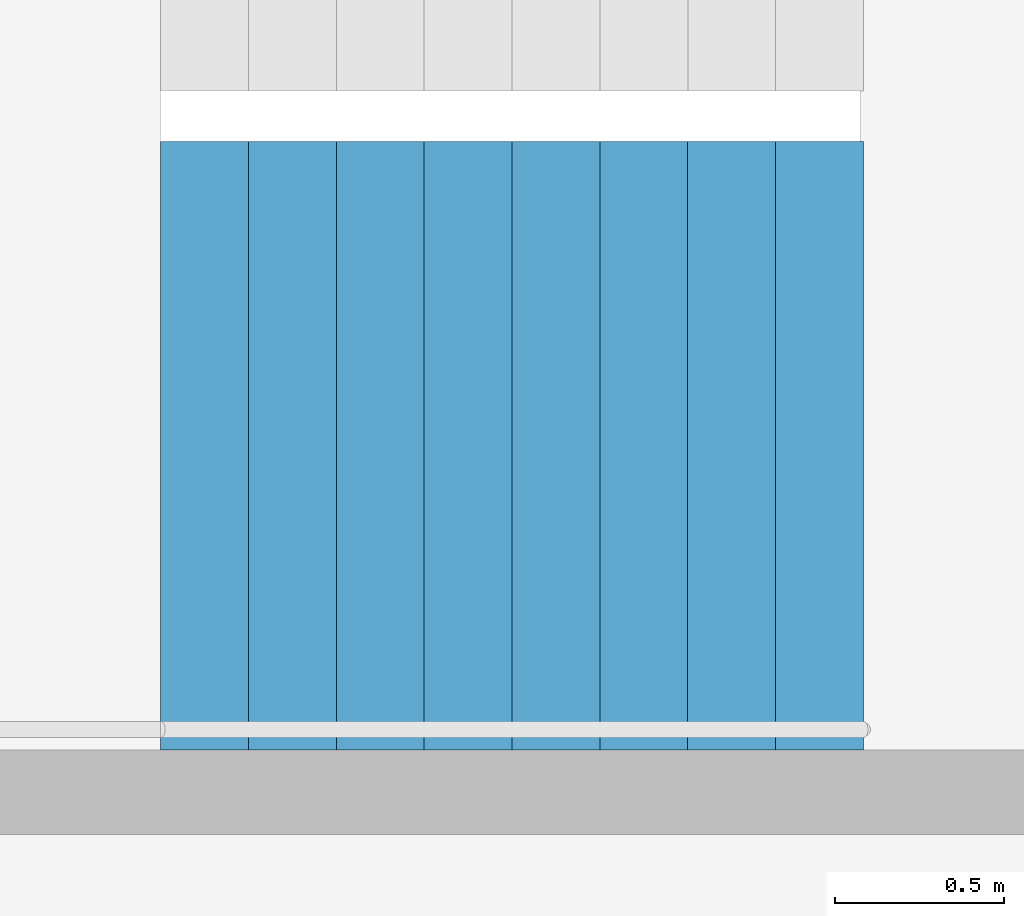
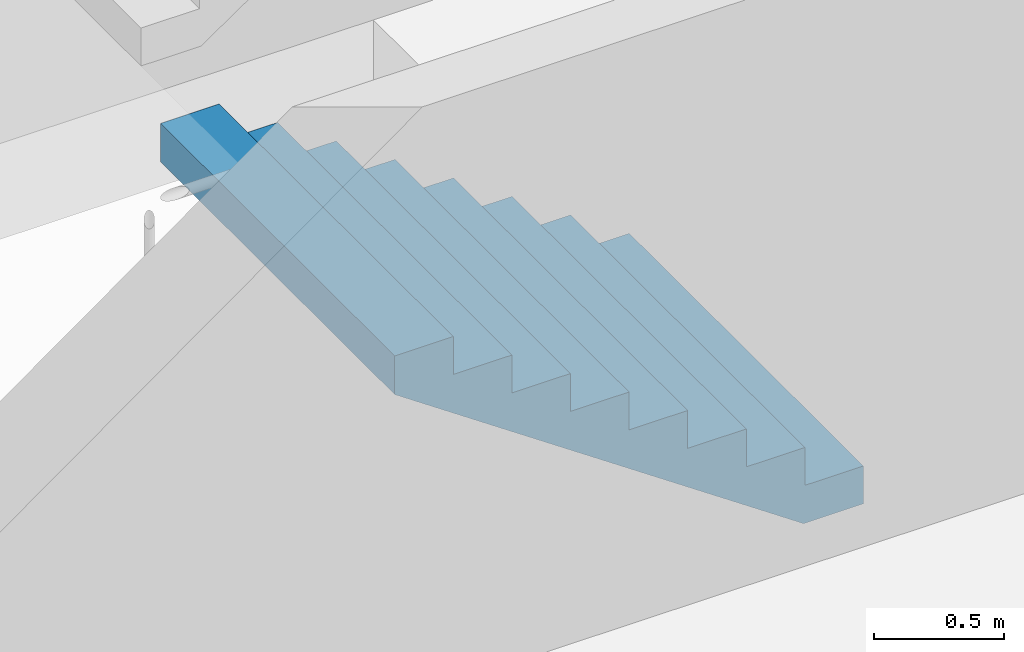
# One storey, part 24 of 26: 1 stair flight, 1 element without a shape of its own.
"""IFC4 building model written with IfcOpenShell, lengths in metres."""

from ifc_helpers import new_model, si_unit, direction, frame, origin, place, context, subcontext, project, spatial, triangles, material, type_object, element, aggregate, save


model = new_model("IFC4")

# Units and contexts
model_context = context("Model", 3, precision=1e-05, world=origin(), true_north=direction((0.0, 1.0)))
body_context = subcontext(model_context, "Body", "Model", "MODEL_VIEW")
ifc_project = project(units=[si_unit("LENGTHUNIT", "METRE"), si_unit("AREAUNIT", "SQUARE_METRE"), si_unit("VOLUMEUNIT", "CUBIC_METRE"), si_unit("PLANEANGLEUNIT", "RADIAN"), si_unit("MASSUNIT", "GRAM", prefix="KILO")], contexts=[model_context])

# Site, building, storey
site_placement = place(None, origin())
site = spatial("IfcSite", under=ifc_project, at=site_placement, CompositionType="ELEMENT")
building_placement = place(site_placement, origin())
building = spatial("IfcBuilding", under=site, at=building_placement, Name="Hakoniwa Tower and Hamabe Station Hall", CompositionType="ELEMENT")
storey_placement = place(building_placement, frame((0.0, 0.0, 169.39990234375)))
storey = spatial("IfcBuildingStorey", under=building, at=storey_placement, Name="L48", CompositionType="ELEMENT", Elevation=169.39990234375)

# Stair, stair flight
ifc_material_1 = material(Name="Concrete C40", Category="concrete")
stair_type = type_object("IfcStairType", Name="ESCAPE STAIR 1800", PredefinedType="HALF_TURN_STAIR", material=ifc_material_1)
stair_placement = place(storey_placement, origin())
stair = element("IfcStair", 1, at=stair_placement, inside=storey, type_object=stair_type, Name="Escape stair ST-3 L48", PredefinedType="HALF_TURN_STAIR")
ifc_material_2 = material(Name="Concrete C40", Category="concrete")
stair_flight_type = type_object("IfcStairFlightType", Name="STAIR FLIGHT 1800", PredefinedType="STRAIGHT", material=ifc_material_2)
stair_flight_placement = place(storey_placement, frame((24.39990234375, 4.64990234375, 0.0), z_axis=(0.0, 0.0, 1.0), x_axis=(-1.0, 0.0, 0.0)))
stair_flight = element("IfcStairFlight", 2, at=stair_flight_placement, type_object=stair_flight_type, Name="ST-3 flight 1", NumberOfRisers=9, NumberOfTreads=8, PredefinedType="STRAIGHT", RiserHeight=0.177777778, TreadLength=0.26, context=body_context, shape_type="Tessellation", body=[
    triangles([(0.0, 0.89990234375, 0.0), (0.260009765625, 0.89990234375, 0.0), (0.265625, 0.89990234375, 0.0), (0.52001953125, 0.89990234375, 0.174072265625), (0.780029296875, 0.89990234375, 0.351806640625), (1.0400390625, 0.89990234375, 0.529541015625), (1.300048828125, 0.89990234375, 0.707275390625), (1.56005859375, 0.89990234375, 0.885009765625), (1.820068359375, 0.89990234375, 1.062744140625), (2.080078125, 0.89990234375, 1.24072265625), (2.080078125, 0.89990234375, 1.422119140625), (1.820068359375, 0.89990234375, 1.422119140625), (1.820068359375, 0.89990234375, 1.244384765625), (1.56005859375, 0.89990234375, 1.244384765625), (1.56005859375, 0.89990234375, 1.066650390625), (1.300048828125, 0.89990234375, 1.066650390625), (1.300048828125, 0.89990234375, 0.888916015625), (1.0400390625, 0.89990234375, 0.888916015625), (1.0400390625, 0.89990234375, 0.711181640625), (0.780029296875, 0.89990234375, 0.711181640625), (0.780029296875, 0.89990234375, 0.533447265625), (0.52001953125, 0.89990234375, 0.533447265625), (0.52001953125, 0.89990234375, 0.35546875), (0.265625, 0.89990234375, 0.35546875), (0.260009765625, 0.89990234375, 0.35546875), (0.260009765625, 0.89990234375, 0.177734375), (0.0, 0.89990234375, 0.177734375), (0.0, 0.06005859375, 0.0), (0.260009765625, 0.06005859375, 0.0), (0.265625, 0.06005859375, 0.0), (0.52001953125, 0.06005859375, 0.174072265625), (0.780029296875, 0.06005859375, 0.351806640625), (1.0400390625, 0.06005859375, 0.529541015625), (1.300048828125, 0.06005859375, 0.707275390625), (1.56005859375, 0.06005859375, 0.885009765625), (1.820068359375, 0.06005859375, 1.062744140625), (2.080078125, 0.06005859375, 1.24072265625), (2.080078125, 0.06005859375, 1.422119140625), (1.820068359375, 0.06005859375, 1.422119140625), (1.820068359375, 0.06005859375, 1.244384765625), (1.56005859375, 0.06005859375, 1.244384765625), (1.56005859375, 0.06005859375, 1.066650390625), (1.300048828125, 0.06005859375, 1.066650390625), (1.300048828125, 0.06005859375, 0.888916015625), (1.0400390625, 0.06005859375, 0.888916015625), (1.0400390625, 0.06005859375, 0.711181640625), (0.780029296875, 0.06005859375, 0.711181640625), (0.780029296875, 0.06005859375, 0.533447265625), (0.52001953125, 0.06005859375, 0.533447265625), (0.52001953125, 0.06005859375, 0.35546875), (0.265625, 0.06005859375, 0.35546875), (0.260009765625, 0.06005859375, 0.35546875), (0.260009765625, 0.06005859375, 0.177734375), (0.0, 0.06005859375, 0.177734375), (0.0, 0.04296875, 0.0), (0.260009765625, 0.04296875, 0.0), (0.265625, 0.04296875, 0.0), (0.52001953125, 0.04296875, 0.174072265625), (0.780029296875, 0.04296875, 0.351806640625), (1.0400390625, 0.04296875, 0.529541015625), (1.300048828125, 0.04296875, 0.707275390625), (1.56005859375, 0.04296875, 0.885009765625), (1.820068359375, 0.04296875, 1.062744140625), (2.080078125, 0.04296875, 1.24072265625), (2.080078125, 0.04296875, 1.422119140625), (1.820068359375, 0.04296875, 1.422119140625), (1.820068359375, 0.04296875, 1.244384765625), (1.56005859375, 0.04296875, 1.244384765625), (1.56005859375, 0.04296875, 1.066650390625), (1.300048828125, 0.04296875, 1.066650390625), (1.300048828125, 0.04296875, 0.888916015625), (1.0400390625, 0.04296875, 0.888916015625), (1.0400390625, 0.04296875, 0.711181640625), (0.780029296875, 0.04296875, 0.711181640625), (0.780029296875, 0.04296875, 0.533447265625), (0.52001953125, 0.04296875, 0.533447265625), (0.52001953125, 0.04296875, 0.35546875), (0.265625, 0.04296875, 0.35546875), (0.260009765625, 0.04296875, 0.35546875), (0.260009765625, 0.04296875, 0.177734375), (0.0, 0.04296875, 0.177734375), (0.0, 0.025634765625, 0.0), (0.260009765625, 0.025634765625, 0.0), (0.265625, 0.025634765625, 0.0), (0.52001953125, 0.025634765625, 0.174072265625), (0.780029296875, 0.025634765625, 0.351806640625), (1.0400390625, 0.025634765625, 0.529541015625), (1.300048828125, 0.025634765625, 0.707275390625), (1.56005859375, 0.025634765625, 0.885009765625), (1.820068359375, 0.025634765625, 1.062744140625), (2.080078125, 0.025634765625, 1.24072265625), (2.080078125, 0.025634765625, 1.422119140625), (1.820068359375, 0.025634765625, 1.422119140625), (1.820068359375, 0.025634765625, 1.244384765625), (1.56005859375, 0.025634765625, 1.244384765625), (1.56005859375, 0.025634765625, 1.066650390625), (1.300048828125, 0.025634765625, 1.066650390625), (1.300048828125, 0.025634765625, 0.888916015625), (1.0400390625, 0.025634765625, 0.888916015625), (1.0400390625, 0.025634765625, 0.711181640625), (0.780029296875, 0.025634765625, 0.711181640625), (0.780029296875, 0.025634765625, 0.533447265625), (0.52001953125, 0.025634765625, 0.533447265625), (0.52001953125, 0.025634765625, 0.35546875), (0.265625, 0.025634765625, 0.35546875), (0.260009765625, 0.025634765625, 0.35546875), (0.260009765625, 0.025634765625, 0.177734375), (0.0, 0.025634765625, 0.177734375), (0.0, 0.008544921875, 0.0), (0.260009765625, 0.008544921875, 0.0), (0.265625, 0.008544921875, 0.0), (0.52001953125, 0.008544921875, 0.174072265625), (0.780029296875, 0.008544921875, 0.351806640625), (1.0400390625, 0.008544921875, 0.529541015625), (1.300048828125, 0.008544921875, 0.707275390625), (1.56005859375, 0.008544921875, 0.885009765625), (1.820068359375, 0.008544921875, 1.062744140625), (2.080078125, 0.008544921875, 1.24072265625), (2.080078125, 0.008544921875, 1.422119140625), (1.820068359375, 0.008544921875, 1.422119140625), (1.820068359375, 0.008544921875, 1.244384765625), (1.56005859375, 0.008544921875, 1.244384765625), (1.56005859375, 0.008544921875, 1.066650390625), (1.300048828125, 0.008544921875, 1.066650390625), (1.300048828125, 0.008544921875, 0.888916015625), (1.0400390625, 0.008544921875, 0.888916015625), (1.0400390625, 0.008544921875, 0.711181640625), (0.780029296875, 0.008544921875, 0.711181640625), (0.780029296875, 0.008544921875, 0.533447265625), (0.52001953125, 0.008544921875, 0.533447265625), (0.52001953125, 0.008544921875, 0.35546875), (0.265625, 0.008544921875, 0.35546875), (0.260009765625, 0.008544921875, 0.35546875), (0.260009765625, 0.008544921875, 0.177734375), (0.0, 0.008544921875, 0.177734375), (0.0, -0.008544921875, 0.0), (0.260009765625, -0.008544921875, 0.0), (0.265625, -0.008544921875, 0.0), (0.52001953125, -0.008544921875, 0.174072265625), (0.780029296875, -0.008544921875, 0.351806640625), (1.0400390625, -0.008544921875, 0.529541015625), (1.300048828125, -0.008544921875, 0.707275390625), (1.56005859375, -0.008544921875, 0.885009765625), (1.820068359375, -0.008544921875, 1.062744140625), (2.080078125, -0.008544921875, 1.24072265625), (2.080078125, -0.008544921875, 1.422119140625), (1.820068359375, -0.008544921875, 1.422119140625), (1.820068359375, -0.008544921875, 1.244384765625), (1.56005859375, -0.008544921875, 1.244384765625), (1.56005859375, -0.008544921875, 1.066650390625), (1.300048828125, -0.008544921875, 1.066650390625), (1.300048828125, -0.008544921875, 0.888916015625), (1.0400390625, -0.008544921875, 0.888916015625), (1.0400390625, -0.008544921875, 0.711181640625), (0.780029296875, -0.008544921875, 0.711181640625), (0.780029296875, -0.008544921875, 0.533447265625), (0.52001953125, -0.008544921875, 0.533447265625), (0.52001953125, -0.008544921875, 0.35546875), (0.265625, -0.008544921875, 0.35546875), (0.260009765625, -0.008544921875, 0.35546875), (0.260009765625, -0.008544921875, 0.177734375), (0.0, -0.008544921875, 0.177734375), (0.0, -0.025634765625, 0.0), (0.260009765625, -0.025634765625, 0.0), (0.265625, -0.025634765625, 0.0), (0.52001953125, -0.025634765625, 0.174072265625), (0.780029296875, -0.025634765625, 0.351806640625), (1.0400390625, -0.025634765625, 0.529541015625), (1.300048828125, -0.025634765625, 0.707275390625), (1.56005859375, -0.025634765625, 0.885009765625), (1.820068359375, -0.025634765625, 1.062744140625), (2.080078125, -0.025634765625, 1.24072265625), (2.080078125, -0.025634765625, 1.422119140625), (1.820068359375, -0.025634765625, 1.422119140625), (1.820068359375, -0.025634765625, 1.244384765625), (1.56005859375, -0.025634765625, 1.244384765625), (1.56005859375, -0.025634765625, 1.066650390625), (1.300048828125, -0.025634765625, 1.066650390625), (1.300048828125, -0.025634765625, 0.888916015625), (1.0400390625, -0.025634765625, 0.888916015625), (1.0400390625, -0.025634765625, 0.711181640625), (0.780029296875, -0.025634765625, 0.711181640625), (0.780029296875, -0.025634765625, 0.533447265625), (0.52001953125, -0.025634765625, 0.533447265625), (0.52001953125, -0.025634765625, 0.35546875), (0.265625, -0.025634765625, 0.35546875), (0.260009765625, -0.025634765625, 0.35546875), (0.260009765625, -0.025634765625, 0.177734375), (0.0, -0.025634765625, 0.177734375), (0.0, -0.04296875, 0.0), (0.260009765625, -0.04296875, 0.0), (0.265625, -0.04296875, 0.0), (0.52001953125, -0.04296875, 0.174072265625), (0.780029296875, -0.04296875, 0.351806640625), (1.0400390625, -0.04296875, 0.529541015625), (1.300048828125, -0.04296875, 0.707275390625), (1.56005859375, -0.04296875, 0.885009765625), (1.820068359375, -0.04296875, 1.062744140625), (2.080078125, -0.04296875, 1.24072265625), (2.080078125, -0.04296875, 1.422119140625), (1.820068359375, -0.04296875, 1.422119140625), (1.820068359375, -0.04296875, 1.244384765625), (1.56005859375, -0.04296875, 1.244384765625), (1.56005859375, -0.04296875, 1.066650390625), (1.300048828125, -0.04296875, 1.066650390625), (1.300048828125, -0.04296875, 0.888916015625), (1.0400390625, -0.04296875, 0.888916015625), (1.0400390625, -0.04296875, 0.711181640625), (0.780029296875, -0.04296875, 0.711181640625), (0.780029296875, -0.04296875, 0.533447265625), (0.52001953125, -0.04296875, 0.533447265625), (0.52001953125, -0.04296875, 0.35546875), (0.265625, -0.04296875, 0.35546875), (0.260009765625, -0.04296875, 0.35546875), (0.260009765625, -0.04296875, 0.177734375), (0.0, -0.04296875, 0.177734375), (0.0, -0.06005859375, 0.0), (0.260009765625, -0.06005859375, 0.0), (0.265625, -0.06005859375, 0.0), (0.52001953125, -0.06005859375, 0.174072265625), (0.780029296875, -0.06005859375, 0.351806640625), (1.0400390625, -0.06005859375, 0.529541015625), (1.300048828125, -0.06005859375, 0.707275390625), (1.56005859375, -0.06005859375, 0.885009765625), (1.820068359375, -0.06005859375, 1.062744140625), (2.080078125, -0.06005859375, 1.24072265625), (2.080078125, -0.06005859375, 1.422119140625), (1.820068359375, -0.06005859375, 1.422119140625), (1.820068359375, -0.06005859375, 1.244384765625), (1.56005859375, -0.06005859375, 1.244384765625), (1.56005859375, -0.06005859375, 1.066650390625), (1.300048828125, -0.06005859375, 1.066650390625), (1.300048828125, -0.06005859375, 0.888916015625), (1.0400390625, -0.06005859375, 0.888916015625), (1.0400390625, -0.06005859375, 0.711181640625), (0.780029296875, -0.06005859375, 0.711181640625), (0.780029296875, -0.06005859375, 0.533447265625), (0.52001953125, -0.06005859375, 0.533447265625), (0.52001953125, -0.06005859375, 0.35546875), (0.265625, -0.06005859375, 0.35546875), (0.260009765625, -0.06005859375, 0.35546875), (0.260009765625, -0.06005859375, 0.177734375), (0.0, -0.06005859375, 0.177734375), (0.0, -0.89990234375, 0.0), (0.260009765625, -0.89990234375, 0.0), (0.265625, -0.89990234375, 0.0), (0.52001953125, -0.89990234375, 0.174072265625), (0.780029296875, -0.89990234375, 0.351806640625), (1.0400390625, -0.89990234375, 0.529541015625), (1.300048828125, -0.89990234375, 0.707275390625), (1.56005859375, -0.89990234375, 0.885009765625), (1.820068359375, -0.89990234375, 1.062744140625), (2.080078125, -0.89990234375, 1.24072265625), (2.080078125, -0.89990234375, 1.422119140625), (1.820068359375, -0.89990234375, 1.422119140625), (1.820068359375, -0.89990234375, 1.244384765625), (1.56005859375, -0.89990234375, 1.244384765625), (1.56005859375, -0.89990234375, 1.066650390625), (1.300048828125, -0.89990234375, 1.066650390625), (1.300048828125, -0.89990234375, 0.888916015625), (1.0400390625, -0.89990234375, 0.888916015625), (1.0400390625, -0.89990234375, 0.711181640625), (0.780029296875, -0.89990234375, 0.711181640625), (0.780029296875, -0.89990234375, 0.533447265625), (0.52001953125, -0.89990234375, 0.533447265625), (0.52001953125, -0.89990234375, 0.35546875), (0.265625, -0.89990234375, 0.35546875), (0.260009765625, -0.89990234375, 0.35546875), (0.260009765625, -0.89990234375, 0.177734375), (0.0, -0.89990234375, 0.177734375)], [[2, 27, 26], [245, 269, 270], [2, 1, 27], [245, 270, 244], [3, 25, 24], [246, 267, 268], [3, 26, 25], [246, 268, 269], [3, 2, 26], [246, 269, 245], [4, 24, 23], [247, 266, 267], [4, 3, 24], [247, 267, 246], [5, 22, 21], [248, 264, 265], [5, 23, 22], [248, 265, 266], [5, 4, 23], [248, 266, 247], [6, 20, 19], [249, 262, 263], [6, 21, 20], [249, 263, 264], [6, 5, 21], [249, 264, 248], [7, 18, 17], [250, 260, 261], [7, 19, 18], [250, 261, 262], [7, 6, 19], [250, 262, 249], [8, 16, 15], [251, 258, 259], [8, 17, 16], [251, 259, 260], [8, 7, 17], [251, 260, 250], [9, 14, 13], [252, 256, 257], [9, 15, 14], [252, 257, 258], [9, 8, 15], [252, 258, 251], [10, 12, 11], [253, 254, 255], [10, 13, 12], [253, 255, 256], [10, 9, 13], [253, 256, 252], [1, 2, 29], [1, 29, 28], [28, 29, 56], [28, 56, 55], [55, 56, 83], [55, 83, 82], [82, 83, 110], [82, 110, 109], [109, 110, 137], [109, 137, 136], [136, 137, 164], [136, 164, 163], [163, 164, 191], [163, 191, 190], [190, 191, 218], [190, 218, 217], [217, 218, 245], [217, 245, 244], [2, 3, 30], [2, 30, 29], [29, 30, 57], [29, 57, 56], [56, 57, 84], [56, 84, 83], [83, 84, 111], [83, 111, 110], [110, 111, 138], [110, 138, 137], [137, 138, 165], [137, 165, 164], [164, 165, 192], [164, 192, 191], [191, 192, 219], [191, 219, 218], [218, 219, 246], [218, 246, 245], [3, 4, 31], [3, 31, 30], [30, 31, 58], [30, 58, 57], [57, 58, 85], [57, 85, 84], [84, 85, 112], [84, 112, 111], [111, 112, 139], [111, 139, 138], [138, 139, 166], [138, 166, 165], [165, 166, 193], [165, 193, 192], [192, 193, 220], [192, 220, 219], [219, 220, 247], [219, 247, 246], [4, 5, 32], [4, 32, 31], [31, 32, 59], [31, 59, 58], [58, 59, 86], [58, 86, 85], [85, 86, 113], [85, 113, 112], [112, 113, 140], [112, 140, 139], [139, 140, 167], [139, 167, 166], [166, 167, 194], [166, 194, 193], [193, 194, 221], [193, 221, 220], [220, 221, 248], [220, 248, 247], [5, 6, 33], [5, 33, 32], [32, 33, 60], [32, 60, 59], [59, 60, 87], [59, 87, 86], [86, 87, 114], [86, 114, 113], [113, 114, 141], [113, 141, 140], [140, 141, 168], [140, 168, 167], [167, 168, 195], [167, 195, 194], [194, 195, 222], [194, 222, 221], [221, 222, 249], [221, 249, 248], [6, 7, 34], [6, 34, 33], [33, 34, 61], [33, 61, 60], [60, 61, 88], [60, 88, 87], [87, 88, 115], [87, 115, 114], [114, 115, 142], [114, 142, 141], [141, 142, 169], [141, 169, 168], [168, 169, 196], [168, 196, 195], [195, 196, 223], [195, 223, 222], [222, 223, 250], [222, 250, 249], [7, 8, 35], [7, 35, 34], [34, 35, 62], [34, 62, 61], [61, 62, 89], [61, 89, 88], [88, 89, 116], [88, 116, 115], [115, 116, 143], [115, 143, 142], [142, 143, 170], [142, 170, 169], [169, 170, 197], [169, 197, 196], [196, 197, 224], [196, 224, 223], [223, 224, 251], [223, 251, 250], [8, 9, 36], [8, 36, 35], [35, 36, 63], [35, 63, 62], [62, 63, 90], [62, 90, 89], [89, 90, 117], [89, 117, 116], [116, 117, 144], [116, 144, 143], [143, 144, 171], [143, 171, 170], [170, 171, 198], [170, 198, 197], [197, 198, 225], [197, 225, 224], [224, 225, 252], [224, 252, 251], [9, 10, 37], [9, 37, 36], [36, 37, 64], [36, 64, 63], [63, 64, 91], [63, 91, 90], [90, 91, 118], [90, 118, 117], [117, 118, 145], [117, 145, 144], [144, 145, 172], [144, 172, 171], [171, 172, 199], [171, 199, 198], [198, 199, 226], [198, 226, 225], [225, 226, 253], [225, 253, 252], [10, 11, 38], [10, 38, 37], [37, 38, 65], [37, 65, 64], [64, 65, 92], [64, 92, 91], [91, 92, 119], [91, 119, 118], [118, 119, 146], [118, 146, 145], [145, 146, 173], [145, 173, 172], [172, 173, 200], [172, 200, 199], [199, 200, 227], [199, 227, 226], [226, 227, 254], [226, 254, 253], [11, 12, 39], [11, 39, 38], [38, 39, 66], [38, 66, 65], [65, 66, 93], [65, 93, 92], [92, 93, 120], [92, 120, 119], [119, 120, 147], [119, 147, 146], [146, 147, 174], [146, 174, 173], [173, 174, 201], [173, 201, 200], [200, 201, 228], [200, 228, 227], [227, 228, 255], [227, 255, 254], [12, 13, 40], [12, 40, 39], [39, 40, 67], [39, 67, 66], [66, 67, 94], [66, 94, 93], [93, 94, 121], [93, 121, 120], [120, 121, 148], [120, 148, 147], [147, 148, 175], [147, 175, 174], [174, 175, 202], [174, 202, 201], [201, 202, 229], [201, 229, 228], [228, 229, 256], [228, 256, 255], [13, 14, 41], [13, 41, 40], [40, 41, 68], [40, 68, 67], [67, 68, 95], [67, 95, 94], [94, 95, 122], [94, 122, 121], [121, 122, 149], [121, 149, 148], [148, 149, 176], [148, 176, 175], [175, 176, 203], [175, 203, 202], [202, 203, 230], [202, 230, 229], [229, 230, 257], [229, 257, 256], [14, 15, 42], [14, 42, 41], [41, 42, 69], [41, 69, 68], [68, 69, 96], [68, 96, 95], [95, 96, 123], [95, 123, 122], [122, 123, 150], [122, 150, 149], [149, 150, 177], [149, 177, 176], [176, 177, 204], [176, 204, 203], [203, 204, 231], [203, 231, 230], [230, 231, 258], [230, 258, 257], [15, 16, 43], [15, 43, 42], [42, 43, 70], [42, 70, 69], [69, 70, 97], [69, 97, 96], [96, 97, 124], [96, 124, 123], [123, 124, 151], [123, 151, 150], [150, 151, 178], [150, 178, 177], [177, 178, 205], [177, 205, 204], [204, 205, 232], [204, 232, 231], [231, 232, 259], [231, 259, 258], [16, 17, 44], [16, 44, 43], [43, 44, 71], [43, 71, 70], [70, 71, 98], [70, 98, 97], [97, 98, 125], [97, 125, 124], [124, 125, 152], [124, 152, 151], [151, 152, 179], [151, 179, 178], [178, 179, 206], [178, 206, 205], [205, 206, 233], [205, 233, 232], [232, 233, 260], [232, 260, 259], [17, 18, 45], [17, 45, 44], [44, 45, 72], [44, 72, 71], [71, 72, 99], [71, 99, 98], [98, 99, 126], [98, 126, 125], [125, 126, 153], [125, 153, 152], [152, 153, 180], [152, 180, 179], [179, 180, 207], [179, 207, 206], [206, 207, 234], [206, 234, 233], [233, 234, 261], [233, 261, 260], [18, 19, 46], [18, 46, 45], [45, 46, 73], [45, 73, 72], [72, 73, 100], [72, 100, 99], [99, 100, 127], [99, 127, 126], [126, 127, 154], [126, 154, 153], [153, 154, 181], [153, 181, 180], [180, 181, 208], [180, 208, 207], [207, 208, 235], [207, 235, 234], [234, 235, 262], [234, 262, 261], [19, 20, 47], [19, 47, 46], [46, 47, 74], [46, 74, 73], [73, 74, 101], [73, 101, 100], [100, 101, 128], [100, 128, 127], [127, 128, 155], [127, 155, 154], [154, 155, 182], [154, 182, 181], [181, 182, 209], [181, 209, 208], [208, 209, 236], [208, 236, 235], [235, 236, 263], [235, 263, 262], [20, 21, 48], [20, 48, 47], [47, 48, 75], [47, 75, 74], [74, 75, 102], [74, 102, 101], [101, 102, 129], [101, 129, 128], [128, 129, 156], [128, 156, 155], [155, 156, 183], [155, 183, 182], [182, 183, 210], [182, 210, 209], [209, 210, 237], [209, 237, 236], [236, 237, 264], [236, 264, 263], [21, 22, 49], [21, 49, 48], [48, 49, 76], [48, 76, 75], [75, 76, 103], [75, 103, 102], [102, 103, 130], [102, 130, 129], [129, 130, 157], [129, 157, 156], [156, 157, 184], [156, 184, 183], [183, 184, 211], [183, 211, 210], [210, 211, 238], [210, 238, 237], [237, 238, 265], [237, 265, 264], [22, 23, 50], [22, 50, 49], [49, 50, 77], [49, 77, 76], [76, 77, 104], [76, 104, 103], [103, 104, 131], [103, 131, 130], [130, 131, 158], [130, 158, 157], [157, 158, 185], [157, 185, 184], [184, 185, 212], [184, 212, 211], [211, 212, 239], [211, 239, 238], [238, 239, 266], [238, 266, 265], [23, 24, 51], [23, 51, 50], [50, 51, 78], [50, 78, 77], [77, 78, 105], [77, 105, 104], [104, 105, 132], [104, 132, 131], [131, 132, 159], [131, 159, 158], [158, 159, 186], [158, 186, 185], [185, 186, 213], [185, 213, 212], [212, 213, 240], [212, 240, 239], [239, 240, 267], [239, 267, 266], [24, 25, 52], [24, 52, 51], [51, 52, 79], [51, 79, 78], [78, 79, 106], [78, 106, 105], [105, 106, 133], [105, 133, 132], [132, 133, 160], [132, 160, 159], [159, 160, 187], [159, 187, 186], [186, 187, 214], [186, 214, 213], [213, 214, 241], [213, 241, 240], [240, 241, 268], [240, 268, 267], [25, 26, 53], [25, 53, 52], [52, 53, 80], [52, 80, 79], [79, 80, 107], [79, 107, 106], [106, 107, 134], [106, 134, 133], [133, 134, 161], [133, 161, 160], [160, 161, 188], [160, 188, 187], [187, 188, 215], [187, 215, 214], [214, 215, 242], [214, 242, 241], [241, 242, 269], [241, 269, 268], [26, 27, 54], [26, 54, 53], [53, 54, 81], [53, 81, 80], [80, 81, 108], [80, 108, 107], [107, 108, 135], [107, 135, 134], [134, 135, 162], [134, 162, 161], [161, 162, 189], [161, 189, 188], [188, 189, 216], [188, 216, 215], [215, 216, 243], [215, 243, 242], [242, 243, 270], [242, 270, 269], [27, 1, 28], [27, 28, 54], [54, 28, 55], [54, 55, 81], [81, 55, 82], [81, 82, 108], [108, 82, 109], [108, 109, 135], [135, 109, 136], [135, 136, 162], [162, 136, 163], [162, 163, 189], [189, 163, 190], [189, 190, 216], [216, 190, 217], [216, 217, 243], [243, 217, 244], [243, 244, 270]], closed=True),
])
aggregate(stair, [stair_flight])

save(model, "model.ifc")
